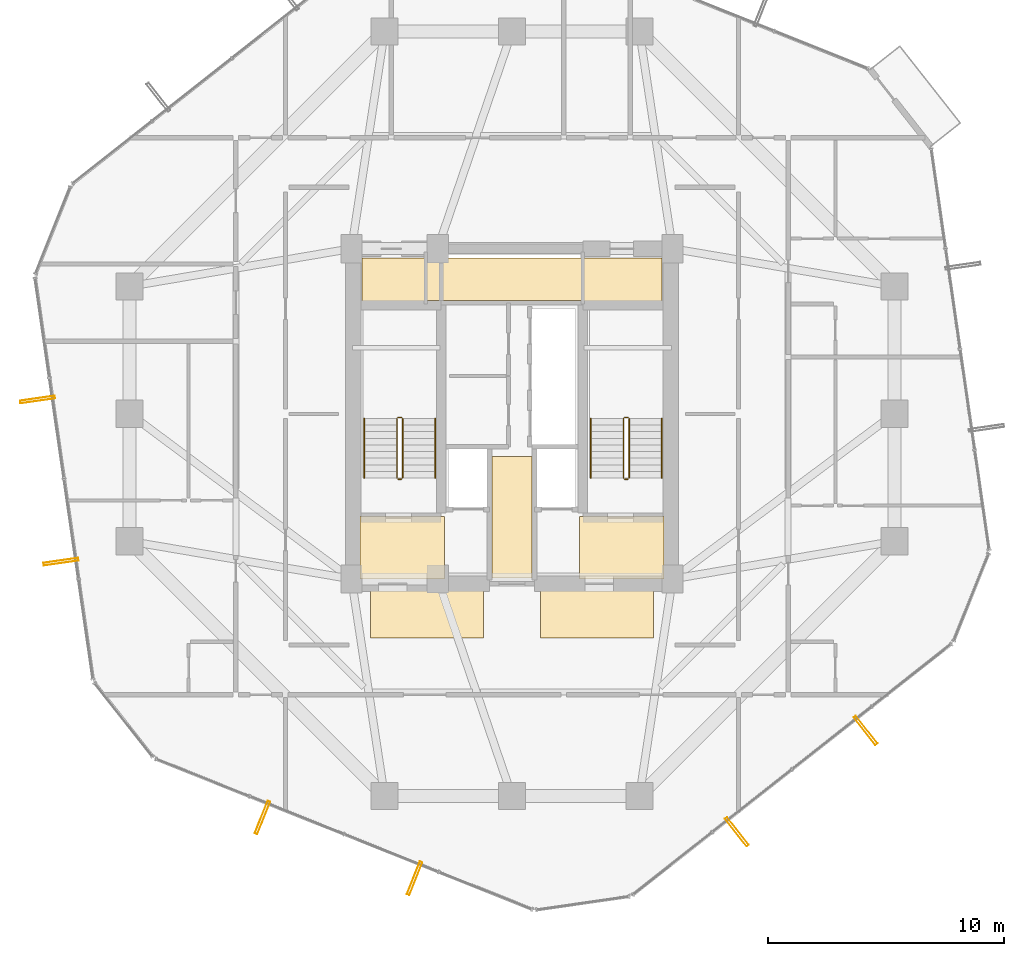
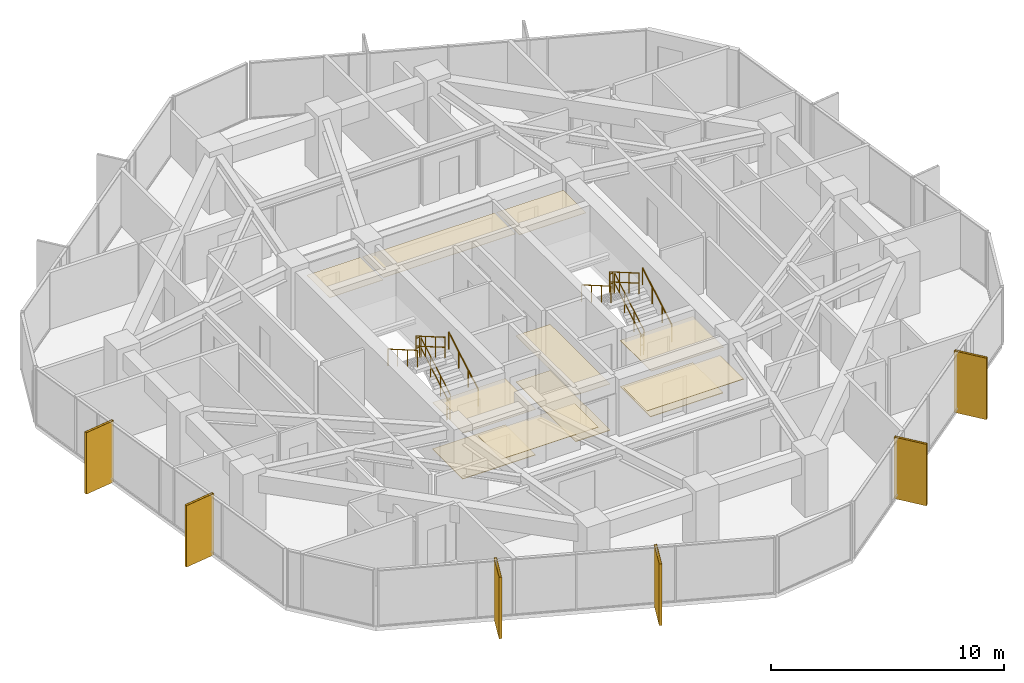
# One storey, part 33 of 34: 12 railings, 11 coverings, 6 shading devices.
"""IFC4 building model written with IfcOpenShell, lengths in metres."""

from ifc_helpers import new_model, si_unit, direction, frame, origin, origin_2d, place, context, subcontext, project, spatial, polyline, hollow_rectangle, circle, outline, extrude, material, layer, layer_set, material_profile, profile_set, type_object, element, save


model = new_model("IFC4")

# Units and contexts
model_context = context("Model", 3, precision=1e-05, world=origin(), true_north=direction((0.0, 1.0)))
body_context = subcontext(model_context, "Body", "Model", "MODEL_VIEW")
ifc_project = project(units=[si_unit("LENGTHUNIT", "METRE"), si_unit("AREAUNIT", "SQUARE_METRE"), si_unit("VOLUMEUNIT", "CUBIC_METRE"), si_unit("PLANEANGLEUNIT", "RADIAN"), si_unit("MASSUNIT", "GRAM", prefix="KILO")], contexts=[model_context])

# Site, building, storey
site_placement = place(None, origin())
site = spatial("IfcSite", under=ifc_project, at=site_placement, CompositionType="ELEMENT")
building_placement = place(site_placement, origin())
building = spatial("IfcBuilding", under=site, at=building_placement, Name="Veraguas Prism Commons", CompositionType="ELEMENT")
storey_placement = place(building_placement, frame((0.0, 0.0, 155.5)))
storey = spatial("IfcBuildingStorey", under=building, at=storey_placement, Name="L44", CompositionType="ELEMENT", Elevation=155.5)

# Shading devices
ifc_material_1 = material(Name="Anodised aluminium EN AW-6063 T6", Category="aluminium")
ifc_material_profile = material_profile(ifc_material_1, hollow_rectangle(XDim=0.1201171875, YDim=1.489990234375, WallThickness=0.006103515625, at=origin_2d()), Name="FIN120X1490X6")
ifc_profile_set = profile_set([ifc_material_profile], Name="Anodised aluminium EN AW-6063 T6")
shading_device_type = type_object("IfcShadingDeviceType", Name="Deep Pale-Metal Vertical Solar Fin 120x1490", PredefinedType="USERDEFINED", material=ifc_profile_set)
for number, where, z_axis, x_axis, name in (
    (1, (3.89990234375, 24.603271484375, -0.22998046875), (0.0, 0.0, 1.0), (0.142972694692, -0.989726633254, 0.0), "Vertical Pale-Metal Solar Fin L44-F3A"),
    (2, (4.892333984375, 17.73291015625, -0.22998046875), (0.0, 0.0, 1.0), (0.142972694692, -0.989726633254, 0.0), "Vertical Pale-Metal Solar Fin L44-F3B"),
    (3, (13.427490234375, 6.894287109375, -0.22998046875), (0.0, 0.0, 1.0), (0.928615402141, -0.371043710237, 0.0), "Vertical Pale-Metal Solar Fin L44-F4A"),
    (4, (19.87353515625, 4.318603515625, -0.22998046875), (0.0, 0.0, 1.0), (0.928615402141, -0.371043710237, 0.0), "Vertical Pale-Metal Solar Fin L44-F4B"),
    (5, (33.527587890625, 6.291015625, -0.22998046875), (0.0, 0.0, 1.0), (0.785639900244, 0.618684044682, 0.0), "Vertical Pale-Metal Solar Fin L44-F5A"),
    (6, (38.9814453125, 10.585693359375, -0.22998046875), (0.0, 0.0, 1.0), (0.785639900244, 0.618684044682, 0.0), "Vertical Pale-Metal Solar Fin L44-F5B"),
):
    element("IfcShadingDevice", number, at=place(storey_placement, frame(where, z_axis=z_axis, x_axis=x_axis)), inside=storey, type_object=shading_device_type, Name=name, ObjectType="FIN", PredefinedType="USERDEFINED", context=body_context, shape_type="SweptSolid", body=[
        extrude(hollow_rectangle(XDim=0.1201171875, YDim=1.489990234375, WallThickness=0.006103515625, at=origin_2d()), origin(), (0.0, 0.0, 1.0), 3.219970703125),
    ])

# Coverings
ifc_material_2 = material(Name="Acoustic gypsum board")
ifc_layer_1 = layer(ifc_material_2, 0.02490234375, Name="Perforated Acoustic Ceiling Tile 25")
ifc_layer_set_1 = layer_set([ifc_layer_1], Name="Acoustic gypsum board")
covering_type_1 = type_object("IfcCoveringType", Name="Perforated Acoustic Ceiling Tile 25", PredefinedType="USERDEFINED", material=ifc_layer_set_1)
covering_1_placement = place(storey_placement, frame((0.0, 0.0, 2.425048828125)))
element("IfcCovering", 7, at=covering_1_placement, inside=storey, type_object=covering_type_1, Name="East Lobby Acoustic Ceiling L44", ObjectType="ACOUSTIC CEILING", PredefinedType="USERDEFINED", context=body_context, shape_type="SweptSolid", body=[
    extrude(outline(polyline([(26.85009765625, 17.0), (30.449951171875, 17.0), (30.449951171875, 19.64990234375), (26.85009765625, 19.64990234375), (26.85009765625, 17.0)])), origin(), (0.0, 0.0, 1.0), 0.02490234375),
])
ifc_material_3 = material(Name="Terrazzo stone finish", Category="masonry")
ifc_layer_2 = layer(ifc_material_3, 0.030029296875, Name="Polished Terrazzo Floor Finish 30", Category="masonry")
ifc_layer_set_2 = layer_set([ifc_layer_2], Name="Terrazzo stone finish")
covering_type_2 = type_object("IfcCoveringType", Name="Polished Terrazzo Floor Finish 30", PredefinedType="FLOORING", material=ifc_layer_set_2)
covering_2_placement = place(storey_placement, origin())
element("IfcCovering", 8, at=covering_2_placement, inside=storey, type_object=covering_type_2, Name="Terrazzo Lobby Flooring L44", PredefinedType="FLOORING", context=body_context, shape_type="SweptSolid", body=[
    extrude(outline(polyline([(23.14990234375, 17.050048828125), (24.85009765625, 17.050048828125), (24.85009765625, 22.199951171875), (23.14990234375, 22.199951171875), (23.14990234375, 17.050048828125)])), origin(), (0.0, 0.0, 1.0), 0.030029296875),
])
covering_3_placement = place(storey_placement, origin())
element("IfcCovering", 9, at=covering_3_placement, inside=storey, type_object=covering_type_2, Name="West FF Lobby Terrazzo Flooring L44", PredefinedType="FLOORING", context=body_context, shape_type="SweptSolid", body=[
    extrude(outline(polyline([(17.550048828125, 17.050048828125), (21.14990234375, 17.050048828125), (21.14990234375, 19.64990234375), (17.550048828125, 19.64990234375), (17.550048828125, 17.050048828125)])), origin(), (0.0, 0.0, 1.0), 0.030029296875),
])
covering_4_placement = place(storey_placement, origin())
element("IfcCovering", 10, at=covering_4_placement, inside=storey, type_object=covering_type_2, Name="East FF Lobby Terrazzo Flooring L44", PredefinedType="FLOORING", context=body_context, shape_type="SweptSolid", body=[
    extrude(outline(polyline([(26.85009765625, 17.050048828125), (30.449951171875, 17.050048828125), (30.449951171875, 19.64990234375), (26.85009765625, 19.64990234375), (26.85009765625, 17.050048828125)])), origin(), (0.0, 0.0, 1.0), 0.030029296875),
])

# Railings
ifc_material_4 = material(Name="Stainless steel AISI 316", Category="steel")
railing_type_1 = type_object("IfcRailingType", Name="Stair and Ramp Stainless Handrail 900", PredefinedType="HANDRAIL", material=ifc_material_4)
railing_1_placement = place(storey_placement, frame((20.75, 21.280029296875, 0.16259765625)))
element("IfcRailing", 11, at=railing_1_placement, inside=storey, type_object=railing_type_1, Name="Stair Handrail ST-01 L44-1", PredefinedType="HANDRAIL", context=body_context, shape_type="SweptSolid", body=[
    extrude(circle(Radius=0.02392578125, at=origin_2d()), frame((0.0, 0.0, 0.8759765625), z_axis=(0.0, 0.864913338283, 0.50192122615), x_axis=(-1.0, 0.0, 0.0)), (0.0, 0.0, 1.0), 2.91357421875),
    extrude(circle(Radius=0.02099609375, at=origin_2d()), origin(), (0.0, 0.0, 1.0), 0.851806640625),
    extrude(circle(Radius=0.02099609375, at=origin_2d()), frame((0.0, 0.840087890625, 0.487548828125)), (0.0, 0.0, 1.0), 0.851806640625),
    extrude(circle(Radius=0.02099609375, at=origin_2d()), frame((0.0, 1.679931640625, 0.974853515625)), (0.0, 0.0, 1.0), 0.851806640625),
    extrude(circle(Radius=0.02099609375, at=origin_2d()), frame((0.0, 2.52001953125, 1.46240234375)), (0.0, 0.0, 1.0), 0.851806640625),
])
railing_2_placement = place(storey_placement, frame((17.739990234375, 23.800048828125, 1.78759765625)))
element("IfcRailing", 12, at=railing_2_placement, inside=storey, type_object=railing_type_1, Name="Stair Handrail ST-01 L44-2", PredefinedType="HANDRAIL", context=body_context, shape_type="SweptSolid", body=[
    extrude(circle(Radius=0.02392578125, at=origin_2d()), frame((0.0, 0.0, 0.8759765625), z_axis=(0.0, -0.864913338283, 0.50192122615), x_axis=(1.0, 0.0, 0.0)), (0.0, 0.0, 1.0), 2.91357421875),
    extrude(circle(Radius=0.02099609375, at=origin_2d()), origin(), (0.0, 0.0, 1.0), 0.851806640625),
    extrude(circle(Radius=0.02099609375, at=origin_2d()), frame((0.0, -0.840087890625, 0.487548828125)), (0.0, 0.0, 1.0), 0.851806640625),
    extrude(circle(Radius=0.02099609375, at=origin_2d()), frame((0.0, -1.679931640625, 0.974853515625)), (0.0, 0.0, 1.0), 0.851806640625),
    extrude(circle(Radius=0.02099609375, at=origin_2d()), frame((0.0, -2.52001953125, 1.46240234375)), (0.0, 0.0, 1.0), 0.851806640625),
])
railing_3_placement = place(storey_placement, frame((30.35009765625, 21.280029296875, 0.16259765625)))
element("IfcRailing", 13, at=railing_3_placement, inside=storey, type_object=railing_type_1, Name="Stair Handrail ST-02 L44-1", PredefinedType="HANDRAIL", context=body_context, shape_type="SweptSolid", body=[
    extrude(circle(Radius=0.02392578125, at=origin_2d()), frame((0.0, 0.0, 0.8759765625), z_axis=(0.0, 0.864913338283, 0.50192122615), x_axis=(-1.0, 0.0, 0.0)), (0.0, 0.0, 1.0), 2.91357421875),
    extrude(circle(Radius=0.02099609375, at=origin_2d()), origin(), (0.0, 0.0, 1.0), 0.851806640625),
    extrude(circle(Radius=0.02099609375, at=origin_2d()), frame((0.0, 0.840087890625, 0.487548828125)), (0.0, 0.0, 1.0), 0.851806640625),
    extrude(circle(Radius=0.02099609375, at=origin_2d()), frame((0.0, 1.679931640625, 0.974853515625)), (0.0, 0.0, 1.0), 0.851806640625),
    extrude(circle(Radius=0.02099609375, at=origin_2d()), frame((0.0, 2.52001953125, 1.46240234375)), (0.0, 0.0, 1.0), 0.851806640625),
])
railing_4_placement = place(storey_placement, frame((27.340087890625, 23.800048828125, 1.78759765625)))
element("IfcRailing", 14, at=railing_4_placement, inside=storey, type_object=railing_type_1, Name="Stair Handrail ST-02 L44-2", PredefinedType="HANDRAIL", context=body_context, shape_type="SweptSolid", body=[
    extrude(circle(Radius=0.02392578125, at=origin_2d()), frame((0.0, 0.0, 0.8759765625), z_axis=(0.0, -0.864913338283, 0.50192122615), x_axis=(1.0, 0.0, 0.0)), (0.0, 0.0, 1.0), 2.91357421875),
    extrude(circle(Radius=0.02099609375, at=origin_2d()), origin(), (0.0, 0.0, 1.0), 0.851806640625),
    extrude(circle(Radius=0.02099609375, at=origin_2d()), frame((0.0, -0.840087890625, 0.487548828125)), (0.0, 0.0, 1.0), 0.851806640625),
    extrude(circle(Radius=0.02099609375, at=origin_2d()), frame((0.0, -1.679931640625, 0.974853515625)), (0.0, 0.0, 1.0), 0.851806640625),
    extrude(circle(Radius=0.02099609375, at=origin_2d()), frame((0.0, -2.52001953125, 1.46240234375)), (0.0, 0.0, 1.0), 0.851806640625),
])
railing_type_2 = type_object("IfcRailingType", Name="Stairwell Safety Guardrail 1100", PredefinedType="GUARDRAIL", material=ifc_material_4)
railing_5_placement = place(storey_placement, frame((19.3701171875, 21.280029296875, 0.16259765625)))
element("IfcRailing", 15, at=railing_5_placement, inside=storey, type_object=railing_type_2, Name="Stair Guard ST-01 L44-1", PredefinedType="GUARDRAIL", context=body_context, shape_type="SweptSolid", body=[
    extrude(circle(Radius=0.02392578125, at=origin_2d()), frame((0.0, 0.0, 1.076171875), z_axis=(0.0, 0.864913338283, 0.50192122615), x_axis=(-1.0, 0.0, 0.0)), (0.0, 0.0, 1.0), 2.91357421875),
    extrude(circle(Radius=0.02392578125, at=origin_2d()), frame((0.0, 0.0, 0.550048828125), z_axis=(0.0, 0.864913338283, 0.50192122615), x_axis=(-1.0, 0.0, 0.0)), (0.0, 0.0, 1.0), 2.91357421875),
    extrude(circle(Radius=0.02099609375, at=origin_2d()), origin(), (0.0, 0.0, 1.0), 1.052001953125),
    extrude(circle(Radius=0.02099609375, at=origin_2d()), frame((0.0, 0.840087890625, 0.487548828125)), (0.0, 0.0, 1.0), 1.052001953125),
    extrude(circle(Radius=0.02099609375, at=origin_2d()), frame((0.0, 1.679931640625, 0.974853515625)), (0.0, 0.0, 1.0), 1.052001953125),
    extrude(circle(Radius=0.02099609375, at=origin_2d()), frame((0.0, 2.52001953125, 1.46240234375)), (0.0, 0.0, 1.0), 1.052001953125),
])
railing_6_placement = place(storey_placement, frame((19.320068359375, 23.85009765625, 1.625)))
element("IfcRailing", 16, at=railing_6_placement, inside=storey, type_object=railing_type_2, Name="Stair Guard ST-01 L44-2", PredefinedType="GUARDRAIL", context=body_context, shape_type="SweptSolid", body=[
    extrude(circle(Radius=0.02392578125, at=origin_2d()), frame((0.0, 0.0, 1.076171875), z_axis=(-1.0, 0.0, 0.0), x_axis=(0.0, -1.0, 0.0)), (0.0, 0.0, 1.0), 0.150146484375),
    extrude(circle(Radius=0.02392578125, at=origin_2d()), frame((0.0, 0.0, 0.550048828125), z_axis=(-1.0, 0.0, 0.0), x_axis=(0.0, -1.0, 0.0)), (0.0, 0.0, 1.0), 0.150146484375),
    extrude(circle(Radius=0.02099609375, at=origin_2d()), origin(), (0.0, 0.0, 1.0), 1.052001953125),
    extrude(circle(Radius=0.02099609375, at=origin_2d()), frame((-0.150146484375, 0.0, 0.0)), (0.0, 0.0, 1.0), 1.052001953125),
])
railing_7_placement = place(storey_placement, frame((19.1201171875, 23.800048828125, 1.78759765625)))
element("IfcRailing", 17, at=railing_7_placement, inside=storey, type_object=railing_type_2, Name="Stair Guard ST-01 L44-3", PredefinedType="GUARDRAIL", context=body_context, shape_type="SweptSolid", body=[
    extrude(circle(Radius=0.02392578125, at=origin_2d()), frame((0.0, 0.0, 1.076171875), z_axis=(0.0, -0.864913338283, 0.50192122615), x_axis=(1.0, 0.0, 0.0)), (0.0, 0.0, 1.0), 2.91357421875),
    extrude(circle(Radius=0.02392578125, at=origin_2d()), frame((0.0, 0.0, 0.550048828125), z_axis=(0.0, -0.864913338283, 0.50192122615), x_axis=(1.0, 0.0, 0.0)), (0.0, 0.0, 1.0), 2.91357421875),
    extrude(circle(Radius=0.02099609375, at=origin_2d()), origin(), (0.0, 0.0, 1.0), 1.052001953125),
    extrude(circle(Radius=0.02099609375, at=origin_2d()), frame((0.0, -0.840087890625, 0.487548828125)), (0.0, 0.0, 1.0), 1.052001953125),
    extrude(circle(Radius=0.02099609375, at=origin_2d()), frame((0.0, -1.679931640625, 0.974853515625)), (0.0, 0.0, 1.0), 1.052001953125),
    extrude(circle(Radius=0.02099609375, at=origin_2d()), frame((0.0, -2.52001953125, 1.46240234375)), (0.0, 0.0, 1.0), 1.052001953125),
])
railing_8_placement = place(storey_placement, frame((19.320068359375, 21.22998046875, 0.0)))
element("IfcRailing", 18, at=railing_8_placement, inside=storey, type_object=railing_type_2, Name="Stair Guard ST-01 L44-4", PredefinedType="GUARDRAIL", context=body_context, shape_type="SweptSolid", body=[
    extrude(circle(Radius=0.02392578125, at=origin_2d()), frame((0.0, 0.0, 1.076171875), z_axis=(-1.0, 0.0, 0.0), x_axis=(0.0, -1.0, 0.0)), (0.0, 0.0, 1.0), 0.150146484375),
    extrude(circle(Radius=0.02392578125, at=origin_2d()), frame((0.0, 0.0, 0.550048828125), z_axis=(-1.0, 0.0, 0.0), x_axis=(0.0, -1.0, 0.0)), (0.0, 0.0, 1.0), 0.150146484375),
    extrude(circle(Radius=0.02099609375, at=origin_2d()), origin(), (0.0, 0.0, 1.0), 1.052001953125),
    extrude(circle(Radius=0.02099609375, at=origin_2d()), frame((-0.150146484375, 0.0, 0.0)), (0.0, 0.0, 1.0), 1.052001953125),
])
railing_9_placement = place(storey_placement, frame((28.969970703125, 21.280029296875, 0.16259765625)))
element("IfcRailing", 19, at=railing_9_placement, inside=storey, type_object=railing_type_2, Name="Stair Guard ST-02 L44-1", PredefinedType="GUARDRAIL", context=body_context, shape_type="SweptSolid", body=[
    extrude(circle(Radius=0.02392578125, at=origin_2d()), frame((0.0, 0.0, 1.076171875), z_axis=(0.0, 0.864913338283, 0.50192122615), x_axis=(-1.0, 0.0, 0.0)), (0.0, 0.0, 1.0), 2.91357421875),
    extrude(circle(Radius=0.02392578125, at=origin_2d()), frame((0.0, 0.0, 0.550048828125), z_axis=(0.0, 0.864913338283, 0.50192122615), x_axis=(-1.0, 0.0, 0.0)), (0.0, 0.0, 1.0), 2.91357421875),
    extrude(circle(Radius=0.02099609375, at=origin_2d()), origin(), (0.0, 0.0, 1.0), 1.052001953125),
    extrude(circle(Radius=0.02099609375, at=origin_2d()), frame((0.0, 0.840087890625, 0.487548828125)), (0.0, 0.0, 1.0), 1.052001953125),
    extrude(circle(Radius=0.02099609375, at=origin_2d()), frame((0.0, 1.679931640625, 0.974853515625)), (0.0, 0.0, 1.0), 1.052001953125),
    extrude(circle(Radius=0.02099609375, at=origin_2d()), frame((0.0, 2.52001953125, 1.46240234375)), (0.0, 0.0, 1.0), 1.052001953125),
])
railing_10_placement = place(storey_placement, frame((28.919921875, 23.85009765625, 1.625)))
element("IfcRailing", 20, at=railing_10_placement, inside=storey, type_object=railing_type_2, Name="Stair Guard ST-02 L44-2", PredefinedType="GUARDRAIL", context=body_context, shape_type="SweptSolid", body=[
    extrude(circle(Radius=0.02392578125, at=origin_2d()), frame((0.0, 0.0, 1.076171875), z_axis=(-1.0, 0.0, 0.0), x_axis=(0.0, -1.0, 0.0)), (0.0, 0.0, 1.0), 0.14990234375),
    extrude(circle(Radius=0.02392578125, at=origin_2d()), frame((0.0, 0.0, 0.550048828125), z_axis=(-1.0, 0.0, 0.0), x_axis=(0.0, -1.0, 0.0)), (0.0, 0.0, 1.0), 0.14990234375),
    extrude(circle(Radius=0.02099609375, at=origin_2d()), origin(), (0.0, 0.0, 1.0), 1.052001953125),
    extrude(circle(Radius=0.02099609375, at=origin_2d()), frame((-0.14990234375, 0.0, 0.0)), (0.0, 0.0, 1.0), 1.052001953125),
])
railing_11_placement = place(storey_placement, frame((28.719970703125, 23.800048828125, 1.78759765625)))
element("IfcRailing", 21, at=railing_11_placement, inside=storey, type_object=railing_type_2, Name="Stair Guard ST-02 L44-3", PredefinedType="GUARDRAIL", context=body_context, shape_type="SweptSolid", body=[
    extrude(circle(Radius=0.02392578125, at=origin_2d()), frame((0.0, 0.0, 1.076171875), z_axis=(0.0, -0.864913338283, 0.50192122615), x_axis=(1.0, 0.0, 0.0)), (0.0, 0.0, 1.0), 2.91357421875),
    extrude(circle(Radius=0.02392578125, at=origin_2d()), frame((0.0, 0.0, 0.550048828125), z_axis=(0.0, -0.864913338283, 0.50192122615), x_axis=(1.0, 0.0, 0.0)), (0.0, 0.0, 1.0), 2.91357421875),
    extrude(circle(Radius=0.02099609375, at=origin_2d()), origin(), (0.0, 0.0, 1.0), 1.052001953125),
    extrude(circle(Radius=0.02099609375, at=origin_2d()), frame((0.0, -0.840087890625, 0.487548828125)), (0.0, 0.0, 1.0), 1.052001953125),
    extrude(circle(Radius=0.02099609375, at=origin_2d()), frame((0.0, -1.679931640625, 0.974853515625)), (0.0, 0.0, 1.0), 1.052001953125),
    extrude(circle(Radius=0.02099609375, at=origin_2d()), frame((0.0, -2.52001953125, 1.46240234375)), (0.0, 0.0, 1.0), 1.052001953125),
])
railing_12_placement = place(storey_placement, frame((28.919921875, 21.22998046875, 0.0)))
element("IfcRailing", 22, at=railing_12_placement, inside=storey, type_object=railing_type_2, Name="Stair Guard ST-02 L44-4", PredefinedType="GUARDRAIL", context=body_context, shape_type="SweptSolid", body=[
    extrude(circle(Radius=0.02392578125, at=origin_2d()), frame((0.0, 0.0, 1.076171875), z_axis=(-1.0, 0.0, 0.0), x_axis=(0.0, -1.0, 0.0)), (0.0, 0.0, 1.0), 0.14990234375),
    extrude(circle(Radius=0.02392578125, at=origin_2d()), frame((0.0, 0.0, 0.550048828125), z_axis=(-1.0, 0.0, 0.0), x_axis=(0.0, -1.0, 0.0)), (0.0, 0.0, 1.0), 0.14990234375),
    extrude(circle(Radius=0.02099609375, at=origin_2d()), origin(), (0.0, 0.0, 1.0), 1.052001953125),
    extrude(circle(Radius=0.02099609375, at=origin_2d()), frame((-0.14990234375, 0.0, 0.0)), (0.0, 0.0, 1.0), 1.052001953125),
])

# Coverings
ifc_layer_3 = layer(ifc_material_2, 0.02001953125, Name="Suspended Gypsum Ceiling 20")
ifc_layer_set_3 = layer_set([ifc_layer_3], Name="Acoustic gypsum board")
covering_type_3 = type_object("IfcCoveringType", Name="Suspended Gypsum Ceiling 20", PredefinedType="CEILING", material=ifc_layer_set_3)
covering_5_placement = place(storey_placement, frame((0.0, 0.0, 2.429931640625)))
element("IfcCovering", 23, at=covering_5_placement, inside=storey, type_object=covering_type_3, Name="West Lobby Suspended Gypsum Ceiling L44", PredefinedType="CEILING", context=body_context, shape_type="SweptSolid", body=[
    extrude(outline(polyline([(17.550048828125, 17.0), (21.14990234375, 17.0), (21.14990234375, 19.64990234375), (17.550048828125, 19.64990234375), (17.550048828125, 17.0)])), origin(), (0.0, 0.0, 1.0), 0.02001953125),
])
covering_6_placement = place(storey_placement, frame((0.0, 0.0, 2.429931640625)))
element("IfcCovering", 24, at=covering_6_placement, inside=storey, type_object=covering_type_3, Name="Core Lobby Acoustic Ceiling L44-1", PredefinedType="CEILING", context=body_context, shape_type="SweptSolid", body=[
    extrude(outline(polyline([(18.0, 14.5), (22.800048828125, 14.5), (22.800048828125, 16.550048828125), (18.0, 16.550048828125), (18.0, 14.5)])), origin(), (0.0, 0.0, 1.0), 0.02001953125),
])
covering_7_placement = place(storey_placement, frame((0.0, 0.0, 2.429931640625)))
element("IfcCovering", 25, at=covering_7_placement, inside=storey, type_object=covering_type_3, Name="Core Lobby Acoustic Ceiling L44-2", PredefinedType="CEILING", context=body_context, shape_type="SweptSolid", body=[
    extrude(outline(polyline([(25.199951171875, 14.5), (30.0, 14.5), (30.0, 16.550048828125), (25.199951171875, 16.550048828125), (25.199951171875, 14.5)])), origin(), (0.0, 0.0, 1.0), 0.02001953125),
])
covering_8_placement = place(storey_placement, frame((0.0, 0.0, 2.429931640625)))
element("IfcCovering", 26, at=covering_8_placement, inside=storey, type_object=covering_type_3, Name="Core Lobby Acoustic Ceiling L44-3", PredefinedType="CEILING", context=body_context, shape_type="SweptSolid", body=[
    extrude(outline(polyline([(23.14990234375, 17.050048828125), (24.85009765625, 17.050048828125), (24.85009765625, 22.199951171875), (23.14990234375, 22.199951171875), (23.14990234375, 17.050048828125)])), origin(), (0.0, 0.0, 1.0), 0.02001953125),
])
covering_9_placement = place(storey_placement, frame((0.0, 0.0, 2.429931640625)))
element("IfcCovering", 27, at=covering_9_placement, inside=storey, type_object=covering_type_3, Name="Core Lobby Acoustic Ceiling L44-4", PredefinedType="CEILING", context=body_context, shape_type="SweptSolid", body=[
    extrude(outline(polyline([(17.64990234375, 28.64990234375), (20.300048828125, 28.64990234375), (20.300048828125, 30.60009765625), (17.64990234375, 30.60009765625), (17.64990234375, 28.64990234375)])), origin(), (0.0, 0.0, 1.0), 0.02001953125),
])
covering_10_placement = place(storey_placement, frame((0.0, 0.0, 2.429931640625)))
element("IfcCovering", 28, at=covering_10_placement, inside=storey, type_object=covering_type_3, Name="Core Lobby Acoustic Ceiling L44-5", PredefinedType="CEILING", context=body_context, shape_type="SweptSolid", body=[
    extrude(outline(polyline([(27.050048828125, 28.64990234375), (30.35009765625, 28.64990234375), (30.35009765625, 30.60009765625), (27.050048828125, 30.60009765625), (27.050048828125, 28.64990234375)])), origin(), (0.0, 0.0, 1.0), 0.02001953125),
])
covering_11_placement = place(storey_placement, frame((0.0, 0.0, 2.429931640625)))
element("IfcCovering", 29, at=covering_11_placement, inside=storey, type_object=covering_type_3, Name="Core Lobby Acoustic Ceiling L44-6", PredefinedType="CEILING", context=body_context, shape_type="SweptSolid", body=[
    extrude(outline(polyline([(20.39990234375, 28.800048828125), (26.949951171875, 28.800048828125), (26.949951171875, 30.60009765625), (20.39990234375, 30.60009765625), (20.39990234375, 28.800048828125)])), origin(), (0.0, 0.0, 1.0), 0.02001953125),
])

save(model, "model.ifc")
